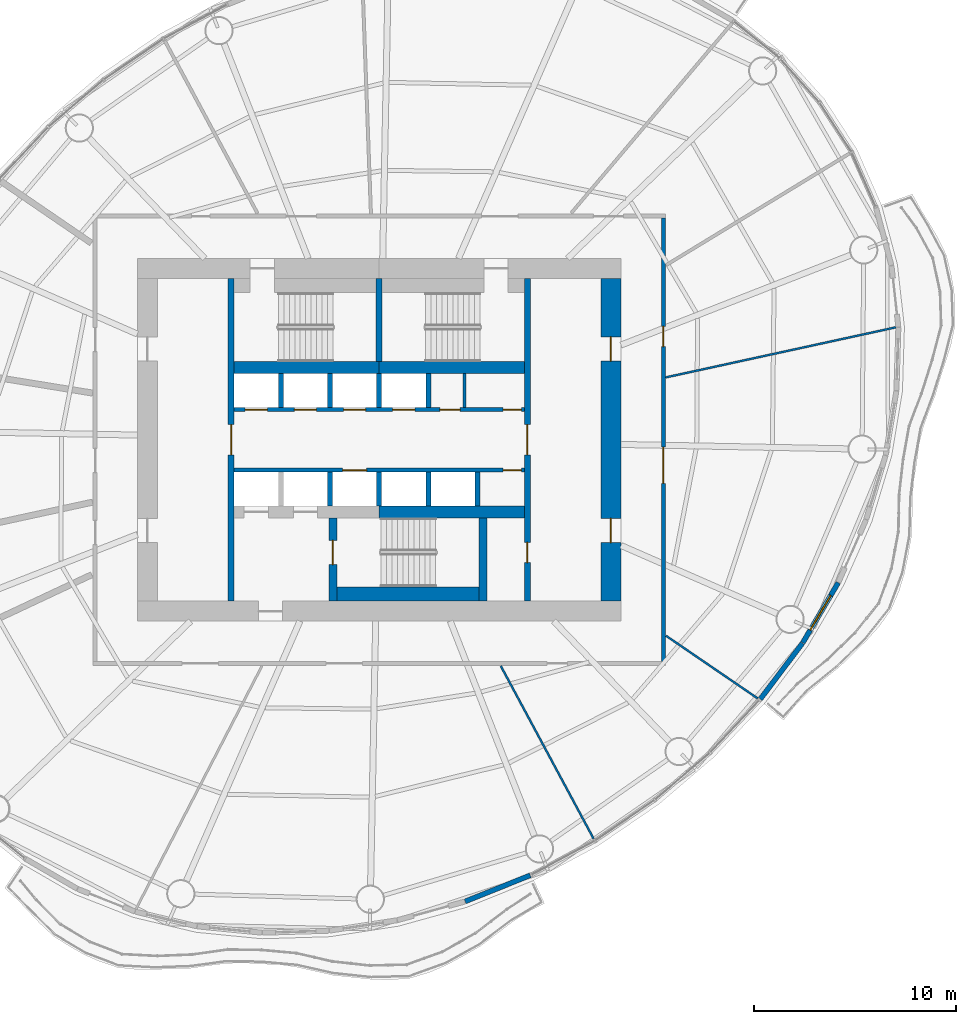
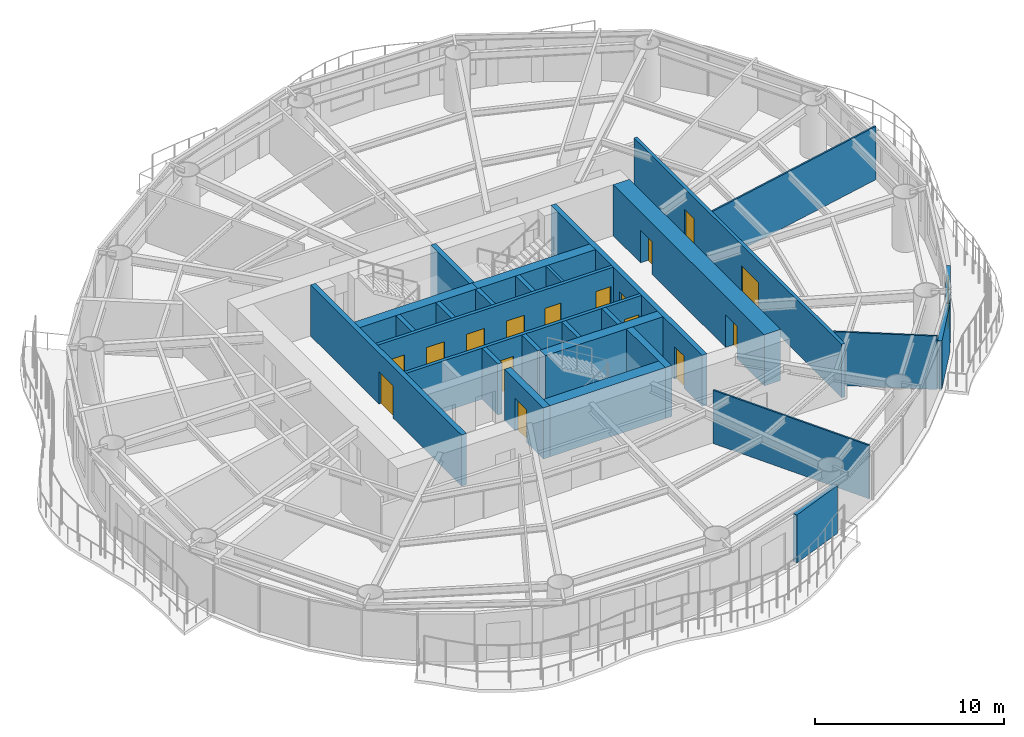
# One storey, part 9 of 15: 28 walls, 16 doors, 1 window, 17 openings.
"""IFC4 building model written with IfcOpenShell, lengths in metres."""

from ifc_helpers import new_model, si_unit, direction, frame, frame_2d, origin, place, context, subcontext, project, spatial, rectangle, extrude, material, layer, layer_set, type_object, element, fill, save


model = new_model("IFC4")

# Units and contexts
model_context = context("Model", 3, precision=1e-05, world=origin(), true_north=direction((0.0, 1.0)))
body_context = subcontext(model_context, "Body", "Model", "MODEL_VIEW")
ifc_project = project(units=[si_unit("LENGTHUNIT", "METRE"), si_unit("AREAUNIT", "SQUARE_METRE"), si_unit("VOLUMEUNIT", "CUBIC_METRE"), si_unit("PLANEANGLEUNIT", "RADIAN"), si_unit("MASSUNIT", "GRAM", prefix="KILO")], contexts=[model_context])

# Site, building, storey
site_placement = place(None, origin())
site = spatial("IfcSite", under=ifc_project, at=site_placement, CompositionType="ELEMENT")
building_placement = place(site_placement, origin())
building = spatial("IfcBuilding", under=site, at=building_placement, Name="Vermilion Reach Broadcast Tower", CompositionType="ELEMENT")
storey_placement = place(building_placement, frame((0.0, 0.0, 183.0)))
storey = spatial("IfcBuildingStorey", under=building, at=storey_placement, Name="L44", CompositionType="ELEMENT", Elevation=183.0)

# Wall, opening, door
ifc_material_1 = material(Name="Concrete C70", Category="concrete")
ifc_layer_1 = layer(ifc_material_1, 0.300048828125)
ifc_layer_set_1 = layer_set([ifc_layer_1], Name="Core inner wall 300 mm Concrete C70")
wall_type_1 = type_object("IfcWallType", Name="Core inner wall 300 mm Concrete C70", PredefinedType="SHEAR", material=ifc_layer_set_1)
wall_1_placement = place(storey_placement, frame((-13.35009765625, 8.0, 0.0), z_axis=(0.0, 0.0, 1.0), x_axis=(0.0, -1.0, 0.0)))
wall_1 = element("IfcWall", 1, at=wall_1_placement, inside=storey, type_object=wall_type_1, Name="L44 core wall ewW", PredefinedType="SHEAR", context=body_context, shape_type="SweptSolid", body=[
    extrude(rectangle(XDim=16.0, YDim=0.300048828125, at=frame_2d((8.0, 0.0))), origin(), (0.0, 0.0, 1.0), 3.300048828125),
])
opening_1_placement = place(wall_1_placement, frame((7.25, 0.0, 0.0)))
opening_1 = element("IfcOpeningElement", 2, at=opening_1_placement, cuts=wall_1, Name="Opening D04", PredefinedType="OPENING", context=body_context, shape_type="SweptSolid", body=[
    extrude(rectangle(XDim=1.5, YDim=2.10009765625, at=frame_2d((0.75, 1.050048828125))), frame((0.0, 0.159912109375, 0.0), z_axis=(0.0, -1.0, 0.0), x_axis=(1.0, 0.0, 0.0)), (0.0, 0.0, 1.0), 0.320068359375),
])
ifc_material_2 = material(Name="Painted steel fire door", Category="steel")
door_type_1 = type_object("IfcDoorType", Name="Lift lobby door 1500 x 2100", OperationType="DOUBLE_DOOR_SINGLE_SWING", PredefinedType="NOTDEFINED", material=ifc_material_2)
door_1_placement = place(opening_1_placement, origin())
door_1 = element("IfcDoor", 3, at=door_1_placement, inside=storey, type_object=door_type_1, Name="L44 band door BW", OperationType="DOUBLE_DOOR_SINGLE_SWING", OverallHeight=2.10009765625, OverallWidth=1.5, PredefinedType="NOTDEFINED", context=body_context, shape_type="SweptSolid", body=[
    extrude(rectangle(XDim=1.5, YDim=2.10009765625, at=frame_2d((0.75, 1.050048828125))), frame((0.0, 0.02490234375, 0.0), z_axis=(0.0, -1.0, 0.0), x_axis=(1.0, 0.0, 0.0)), (0.0, 0.0, 1.0), 0.050048828125),
])
fill(opening_1, door_1)

# Wall, openings, doors
wall_2_placement = place(storey_placement, frame((1.35009765625, -8.0, 0.0), z_axis=(0.0, 0.0, 1.0), x_axis=(0.0, 1.0, 0.0)))
wall_2 = element("IfcWall", 4, at=wall_2_placement, inside=storey, type_object=wall_type_1, Name="L44 core wall ewE", PredefinedType="SHEAR", context=body_context, shape_type="SweptSolid", body=[
    extrude(rectangle(XDim=16.0, YDim=0.300048828125, at=frame_2d((8.0, 0.0))), origin(), (0.0, 0.0, 1.0), 3.300048828125),
])
opening_2_placement = place(wall_2_placement, frame((1.909912109375, 0.0, 0.0)))
opening_2 = element("IfcOpeningElement", 5, at=opening_2_placement, cuts=wall_2, Name="Opening D05", PredefinedType="OPENING", context=body_context, shape_type="SweptSolid", body=[
    extrude(rectangle(XDim=1.0, YDim=2.10009765625, at=frame_2d((0.5, 1.050048828125))), frame((0.0, 0.159912109375, 0.0), z_axis=(0.0, -1.0, 0.0), x_axis=(1.0, 0.0, 0.0)), (0.0, 0.0, 1.0), 0.320068359375),
])
opening_3_placement = place(wall_2_placement, frame((7.25, 0.0, 0.0)))
opening_3 = element("IfcOpeningElement", 6, at=opening_3_placement, cuts=wall_2, Name="Opening D04", PredefinedType="OPENING", context=body_context, shape_type="SweptSolid", body=[
    extrude(rectangle(XDim=1.5, YDim=2.10009765625, at=frame_2d((0.75, 1.050048828125))), frame((0.0, 0.159912109375, 0.0), z_axis=(0.0, -1.0, 0.0), x_axis=(1.0, 0.0, 0.0)), (0.0, 0.0, 1.0), 0.320068359375),
])
door_2_placement = place(opening_3_placement, origin())
door_2 = element("IfcDoor", 7, at=door_2_placement, inside=storey, type_object=door_type_1, Name="L44 band door BE", OperationType="DOUBLE_DOOR_SINGLE_SWING", OverallHeight=2.10009765625, OverallWidth=1.5, PredefinedType="NOTDEFINED", context=body_context, shape_type="SweptSolid", body=[
    extrude(rectangle(XDim=1.5, YDim=2.10009765625, at=frame_2d((0.75, 1.050048828125))), frame((0.0, 0.02490234375, 0.0), z_axis=(0.0, -1.0, 0.0), x_axis=(1.0, 0.0, 0.0)), (0.0, 0.0, 1.0), 0.050048828125),
])
fill(opening_3, door_2)
ifc_material_3 = material(Name="Timber door", Category="wood")
door_type_2 = type_object("IfcDoorType", Name="Room door 1000 x 2100", OperationType="NOTDEFINED", PredefinedType="NOTDEFINED", material=ifc_material_3)
door_3_placement = place(opening_2_placement, origin())
door_3 = element("IfcDoor", 8, at=door_3_placement, inside=storey, type_object=door_type_2, Name="L44 door SER", OperationType="SINGLE_SWING_LEFT", OverallHeight=2.10009765625, OverallWidth=1.0, PredefinedType="NOTDEFINED", context=body_context, shape_type="SweptSolid", body=[
    extrude(rectangle(XDim=1.0, YDim=2.10009765625, at=frame_2d((0.5, 1.050048828125))), frame((0.0, 0.02490234375, 0.0), z_axis=(0.0, -1.0, 0.0), x_axis=(1.0, 0.0, 0.0)), (0.0, 0.0, 1.0), 0.050048828125),
])
fill(opening_2, door_3)

# Wall
wall_3_placement = place(storey_placement, frame((-6.0, 3.8798828125, 0.0), z_axis=(0.0, 0.0, 1.0), x_axis=(0.0, 1.0, 0.0)))
element("IfcWall", 9, at=wall_3_placement, inside=storey, type_object=wall_type_1, Name="L44 core wall wc", PredefinedType="SHEAR", context=body_context, shape_type="SweptSolid", body=[
    extrude(rectangle(XDim=4.1201171875, YDim=0.300048828125, at=frame_2d((2.06005859375, 0.0))), origin(), (0.0, 0.0, 1.0), 3.300048828125),
])

# Wall, opening, door
ifc_material_4 = material(Name="Concrete C70", Category="concrete")
ifc_layer_2 = layer(ifc_material_4, 0.39990234375)
ifc_layer_set_2 = layer_set([ifc_layer_2], Name="Core inner wall 400 mm Concrete C70")
wall_type_2 = type_object("IfcWallType", Name="Core inner wall 400 mm Concrete C70", PredefinedType="SHEAR", material=ifc_layer_set_2)
wall_4_placement = place(storey_placement, frame((-8.300048828125, -3.8798828125, 0.0), z_axis=(0.0, 0.0, 1.0), x_axis=(0.0, -1.0, 0.0)))
wall_4 = element("IfcWall", 10, at=wall_4_placement, inside=storey, type_object=wall_type_2, Name="L44 core wall wa", PredefinedType="SHEAR", context=body_context, shape_type="SweptSolid", body=[
    extrude(rectangle(XDim=4.1201171875, YDim=0.39990234375, at=frame_2d((2.06005859375, 0.0))), origin(), (0.0, 0.0, 1.0), 3.300048828125),
])
opening_4_placement = place(wall_4_placement, frame((1.110107421875, 0.0, 0.0)))
opening_4 = element("IfcOpeningElement", 11, at=opening_4_placement, cuts=wall_4, Name="Opening D01", PredefinedType="OPENING", context=body_context, shape_type="SweptSolid", body=[
    extrude(rectangle(XDim=1.199951171875, YDim=2.10009765625, at=frame_2d((0.60009765625, 1.050048828125))), frame((0.0, 0.2099609375, 0.0), z_axis=(0.0, -1.0, 0.0), x_axis=(1.0, 0.0, 0.0)), (0.0, 0.0, 1.0), 0.419921875),
])
ifc_material_5 = material(Name="Painted steel fire door", Category="steel")
door_type_3 = type_object("IfcDoorType", Name="Stair door 1200 x 2100", OperationType="DOUBLE_DOOR_SINGLE_SWING", PredefinedType="NOTDEFINED", material=ifc_material_5)
door_4_placement = place(opening_4_placement, origin())
door_4 = element("IfcDoor", 12, at=door_4_placement, inside=storey, type_object=door_type_3, Name="L44 stair door ST3", OperationType="DOUBLE_DOOR_SINGLE_SWING", OverallHeight=2.10009765625, OverallWidth=1.199951171875, PredefinedType="NOTDEFINED", context=body_context, shape_type="SweptSolid", body=[
    extrude(rectangle(XDim=1.199951171875, YDim=2.10009765625, at=frame_2d((0.60009765625, 1.050048828125))), frame((0.0, 0.02490234375, 0.0), z_axis=(0.0, -1.0, 0.0), x_axis=(1.0, 0.0, 0.0)), (0.0, 0.0, 1.0), 0.050048828125),
])
fill(opening_4, door_4)

# Walls
wall_5_placement = place(storey_placement, frame((-0.85009765625, -3.8798828125, 0.0), z_axis=(0.0, 0.0, 1.0), x_axis=(0.0, -1.0, 0.0)))
element("IfcWall", 13, at=wall_5_placement, inside=storey, type_object=wall_type_2, Name="L44 core wall wb", PredefinedType="SHEAR", context=body_context, shape_type="SweptSolid", body=[
    extrude(rectangle(XDim=4.1201171875, YDim=0.39990234375, at=frame_2d((2.06005859375, 0.0))), origin(), (0.0, 0.0, 1.0), 3.300048828125),
])
ifc_material_6 = material(Name="Concrete C70", Category="concrete")
ifc_layer_3 = layer(ifc_material_6, 0.60009765625)
ifc_layer_set_3 = layer_set([ifc_layer_3], Name="Core inner wall 600 mm Concrete C70")
wall_type_3 = type_object("IfcWallType", Name="Core inner wall 600 mm Concrete C70", PredefinedType="SHEAR", material=ifc_layer_set_3)
for number, where, z_axis, x_axis, name in (
    (14, (-13.199951171875, 3.580078125, 0.0), (0.0, 0.0, 1.0), (1.0, 0.0, 0.0), "L44 core wall winW"),
    (15, (-6.0, 3.580078125, 0.0), (0.0, 0.0, 1.0), (1.0, 0.0, 0.0), "L44 core wall winE"),
    (16, (-6.0, -3.580078125, 0.0), (0.0, 0.0, 1.0), (1.0, 0.0, 0.0), "L44 core wall wisE"),
):
    element("IfcWall", number, at=place(storey_placement, frame(where, z_axis=z_axis, x_axis=x_axis)), inside=storey, type_object=wall_type_3, Name=name, PredefinedType="SHEAR", context=body_context, shape_type="SweptSolid", body=[
        extrude(rectangle(XDim=7.199951171875, YDim=0.60009765625, at=frame_2d((3.60009765625, 0.0))), origin(), (0.0, 0.0, 1.0), 3.300048828125),
    ])

# Wall, openings, doors
ifc_material_7 = material(Name="Concrete C70", Category="concrete")
ifc_layer_4 = layer(ifc_material_7, 1.0)
ifc_layer_set_4 = layer_set([ifc_layer_4], Name="Core outer wall 1000 mm Concrete C70")
wall_type_4 = type_object("IfcWallType", Name="Core outer wall 1000 mm Concrete C70", PredefinedType="SHEAR", material=ifc_layer_set_4)
wall_6_placement = place(storey_placement, frame((5.5, -8.0, 0.0), z_axis=(0.0, 0.0, 1.0), x_axis=(0.0, 1.0, 0.0)))
wall_6 = element("IfcWall", 17, at=wall_6_placement, inside=storey, type_object=wall_type_4, Name="L44 core wall oe", PredefinedType="SHEAR", context=body_context, shape_type="SweptSolid", body=[
    extrude(rectangle(XDim=16.0, YDim=1.0, at=frame_2d((8.0, 0.0))), origin(), (0.0, 0.0, 1.0), 3.300048828125),
])
opening_5_placement = place(wall_6_placement, frame((2.89990234375, 0.0, 0.0)))
opening_5 = element("IfcOpeningElement", 18, at=opening_5_placement, cuts=wall_6, Name="Opening D03", PredefinedType="OPENING", context=body_context, shape_type="SweptSolid", body=[
    extrude(rectangle(XDim=1.199951171875, YDim=2.10009765625, at=frame_2d((0.60009765625, 1.050048828125))), frame((0.0, 0.510009765625, 0.0), z_axis=(0.0, -1.0, 0.0), x_axis=(1.0, 0.0, 0.0)), (0.0, 0.0, 1.0), 1.02001953125),
])
opening_6_placement = place(wall_6_placement, frame((11.89990234375, 0.0, 0.0)))
opening_6 = element("IfcOpeningElement", 19, at=opening_6_placement, cuts=wall_6, Name="Opening D03", PredefinedType="OPENING", context=body_context, shape_type="SweptSolid", body=[
    extrude(rectangle(XDim=1.199951171875, YDim=2.10009765625, at=frame_2d((0.60009765625, 1.050048828125))), frame((0.0, 0.510009765625, 0.0), z_axis=(0.0, -1.0, 0.0), x_axis=(1.0, 0.0, 0.0)), (0.0, 0.0, 1.0), 1.02001953125),
])
ifc_material_8 = material(Name="Painted steel fire door", Category="steel")
door_type_4 = type_object("IfcDoorType", Name="Core lobby door 1200 x 2100", OperationType="DOUBLE_DOOR_SINGLE_SWING", PredefinedType="NOTDEFINED", material=ifc_material_8)
door_5_placement = place(opening_5_placement, origin())
door_5 = element("IfcDoor", 20, at=door_5_placement, inside=storey, type_object=door_type_4, Name="L44 slot door E0", OperationType="DOUBLE_DOOR_SINGLE_SWING", OverallHeight=2.10009765625, OverallWidth=1.199951171875, PredefinedType="NOTDEFINED", context=body_context, shape_type="SweptSolid", body=[
    extrude(rectangle(XDim=1.199951171875, YDim=2.10009765625, at=frame_2d((0.60009765625, 1.050048828125))), frame((0.0, 0.02490234375, 0.0), z_axis=(0.0, -1.0, 0.0), x_axis=(1.0, 0.0, 0.0)), (0.0, 0.0, 1.0), 0.050048828125),
])
fill(opening_5, door_5)
door_6_placement = place(opening_6_placement, origin())
door_6 = element("IfcDoor", 21, at=door_6_placement, inside=storey, type_object=door_type_4, Name="L44 slot door E1", OperationType="DOUBLE_DOOR_SINGLE_SWING", OverallHeight=2.10009765625, OverallWidth=1.199951171875, PredefinedType="NOTDEFINED", context=body_context, shape_type="SweptSolid", body=[
    extrude(rectangle(XDim=1.199951171875, YDim=2.10009765625, at=frame_2d((0.60009765625, 1.050048828125))), frame((0.0, 0.02490234375, 0.0), z_axis=(0.0, -1.0, 0.0), x_axis=(1.0, 0.0, 0.0)), (0.0, 0.0, 1.0), 0.050048828125),
])
fill(opening_6, door_6)

# Wall
ifc_material_9 = material(Name="Masonry block", Category="masonry")
ifc_layer_5 = layer(ifc_material_9, 0.14990234375)
ifc_layer_set_5 = layer_set([ifc_layer_5], Name="Core partition wall 150 mm Masonry block")
wall_type_5 = type_object("IfcWallType", Name="Core partition wall 150 mm Masonry block", PredefinedType="PARTITIONING", material=ifc_layer_set_5)
wall_7_placement = place(storey_placement, frame((-1.765380859375, 1.60009765625, 0.0), z_axis=(0.0, 0.0, 1.0), x_axis=(0.0, 1.0, 0.0)))
element("IfcWall", 22, at=wall_7_placement, inside=storey, type_object=wall_type_5, Name="L44 core wall prN4235", PredefinedType="PARTITIONING", context=body_context, shape_type="SweptSolid", body=[
    extrude(rectangle(XDim=1.679931640625, YDim=0.14990234375, at=frame_2d((0.83984375, 0.0))), origin(), (0.0, 0.0, 1.0), 3.300048828125),
])

# Wall, openings, doors
ifc_material_10 = material(Name="Concrete C50", Category="concrete")
ifc_layer_6 = layer(ifc_material_10, 0.199951171875)
ifc_layer_set_6 = layer_set([ifc_layer_6], Name="Core shaft wall 200 mm Concrete C50")
wall_type_6 = type_object("IfcWallType", Name="Core shaft wall 200 mm Concrete C50", PredefinedType="SHEAR", material=ifc_layer_set_6)
wall_8_placement = place(storey_placement, frame((-13.199951171875, 1.5, 0.0), z_axis=(0.0, 0.0, 1.0), x_axis=(1.0, 0.0, 0.0)))
wall_8 = element("IfcWall", 23, at=wall_8_placement, inside=storey, type_object=wall_type_6, Name="L44 core wall fn", PredefinedType="SHEAR", context=body_context, shape_type="SweptSolid", body=[
    extrude(rectangle(XDim=14.39990234375, YDim=0.199951171875, at=frame_2d((7.199951171875, 0.0))), origin(), (0.0, 0.0, 1.0), 3.300048828125),
])
opening_7_placement = place(wall_8_placement, frame((0.5458984375, 0.0, 0.0)))
opening_7 = element("IfcOpeningElement", 24, at=opening_7_placement, cuts=wall_8, Name="Opening LD2", PredefinedType="OPENING", context=body_context, shape_type="SweptSolid", body=[
    extrude(rectangle(XDim=1.10009765625, YDim=2.10009765625, at=frame_2d((0.550048828125, 1.050048828125))), frame((0.0, 0.10986328125, 0.0), z_axis=(0.0, -1.0, 0.0), x_axis=(1.0, 0.0, 0.0)), (0.0, 0.0, 1.0), 0.219970703125),
])
opening_8_placement = place(wall_8_placement, frame((2.987548828125, 0.0, 0.0)))
opening_8 = element("IfcOpeningElement", 25, at=opening_8_placement, cuts=wall_8, Name="Opening LD2", PredefinedType="OPENING", context=body_context, shape_type="SweptSolid", body=[
    extrude(rectangle(XDim=1.10009765625, YDim=2.10009765625, at=frame_2d((0.550048828125, 1.050048828125))), frame((0.0, 0.10986328125, 0.0), z_axis=(0.0, -1.0, 0.0), x_axis=(1.0, 0.0, 0.0)), (0.0, 0.0, 1.0), 0.219970703125),
])
opening_9_placement = place(wall_8_placement, frame((5.42919921875, 0.0, 0.0)))
opening_9 = element("IfcOpeningElement", 26, at=opening_9_placement, cuts=wall_8, Name="Opening LD2", PredefinedType="OPENING", context=body_context, shape_type="SweptSolid", body=[
    extrude(rectangle(XDim=1.10009765625, YDim=2.10009765625, at=frame_2d((0.550048828125, 1.050048828125))), frame((0.0, 0.10986328125, 0.0), z_axis=(0.0, -1.0, 0.0), x_axis=(1.0, 0.0, 0.0)), (0.0, 0.0, 1.0), 0.219970703125),
])
opening_10_placement = place(wall_8_placement, frame((7.870849609375, 0.0, 0.0)))
opening_10 = element("IfcOpeningElement", 27, at=opening_10_placement, cuts=wall_8, Name="Opening LD2", PredefinedType="OPENING", context=body_context, shape_type="SweptSolid", body=[
    extrude(rectangle(XDim=1.10009765625, YDim=2.10009765625, at=frame_2d((0.550048828125, 1.050048828125))), frame((0.0, 0.10986328125, 0.0), z_axis=(0.0, -1.0, 0.0), x_axis=(1.0, 0.0, 0.0)), (0.0, 0.0, 1.0), 0.219970703125),
])
opening_11_placement = place(wall_8_placement, frame((10.209716796875, 0.0, 0.0)))
opening_11 = element("IfcOpeningElement", 28, at=opening_11_placement, cuts=wall_8, Name="Opening D07", PredefinedType="OPENING", context=body_context, shape_type="SweptSolid", body=[
    extrude(rectangle(XDim=1.0, YDim=2.10009765625, at=frame_2d((0.5, 1.050048828125))), frame((0.0, 0.10986328125, 0.0), z_axis=(0.0, -1.0, 0.0), x_axis=(1.0, 0.0, 0.0)), (0.0, 0.0, 1.0), 0.219970703125),
])
opening_12_placement = place(wall_8_placement, frame((13.35009765625, 0.0, 0.0)))
opening_12 = element("IfcOpeningElement", 29, at=opening_12_placement, cuts=wall_8, Name="Opening D06", PredefinedType="OPENING", context=body_context, shape_type="SweptSolid", body=[
    extrude(rectangle(XDim=0.89990234375, YDim=2.10009765625, at=frame_2d((0.449951171875, 1.050048828125))), frame((0.0, 0.10986328125, 0.0), z_axis=(0.0, -1.0, 0.0), x_axis=(1.0, 0.0, 0.0)), (0.0, 0.0, 1.0), 0.219970703125),
])
ifc_material_11 = material(Name="Timber door", Category="wood")
door_type_5 = type_object("IfcDoorType", Name="Accessible WC door 1000 x 2100", OperationType="NOTDEFINED", PredefinedType="NOTDEFINED", material=ifc_material_11)
door_7_placement = place(opening_11_placement, origin())
door_7 = element("IfcDoor", 30, at=door_7_placement, inside=storey, type_object=door_type_5, Name="L44 door Accessible WC", OperationType="SINGLE_SWING_RIGHT", OverallHeight=2.10009765625, OverallWidth=1.0, PredefinedType="NOTDEFINED", context=body_context, shape_type="SweptSolid", body=[
    extrude(rectangle(XDim=1.0, YDim=2.10009765625, at=frame_2d((0.5, 1.050048828125))), frame((0.0, 0.02490234375, 0.0), z_axis=(0.0, -1.0, 0.0), x_axis=(1.0, 0.0, 0.0)), (0.0, 0.0, 1.0), 0.050048828125),
])
fill(opening_11, door_7)
ifc_material_12 = material(Name="Stainless steel", Category="steel")
door_type_6 = type_object("IfcDoorType", Name="Landing door 1100 x 2100", OperationType="DOUBLE_DOOR_SLIDING", PredefinedType="NOTDEFINED", material=ifc_material_12)
door_8_placement = place(opening_7_placement, origin())
door_8 = element("IfcDoor", 31, at=door_8_placement, inside=storey, type_object=door_type_6, Name="L44 landing door LR1", OperationType="DOUBLE_DOOR_SLIDING", OverallHeight=2.10009765625, OverallWidth=1.10009765625, PredefinedType="NOTDEFINED", context=body_context, shape_type="SweptSolid", body=[
    extrude(rectangle(XDim=1.10009765625, YDim=2.10009765625, at=frame_2d((0.550048828125, 1.050048828125))), frame((0.0, 0.02490234375, 0.0), z_axis=(0.0, -1.0, 0.0), x_axis=(1.0, 0.0, 0.0)), (0.0, 0.0, 1.0), 0.050048828125),
])
fill(opening_7, door_8)
door_9_placement = place(opening_8_placement, origin())
door_9 = element("IfcDoor", 32, at=door_9_placement, inside=storey, type_object=door_type_6, Name="L44 landing door LR2", OperationType="DOUBLE_DOOR_SLIDING", OverallHeight=2.10009765625, OverallWidth=1.10009765625, PredefinedType="NOTDEFINED", context=body_context, shape_type="SweptSolid", body=[
    extrude(rectangle(XDim=1.10009765625, YDim=2.10009765625, at=frame_2d((0.550048828125, 1.050048828125))), frame((0.0, 0.02490234375, 0.0), z_axis=(0.0, -1.0, 0.0), x_axis=(1.0, 0.0, 0.0)), (0.0, 0.0, 1.0), 0.050048828125),
])
fill(opening_8, door_9)
door_10_placement = place(opening_9_placement, origin())
door_10 = element("IfcDoor", 33, at=door_10_placement, inside=storey, type_object=door_type_6, Name="L44 landing door LR3", OperationType="DOUBLE_DOOR_SLIDING", OverallHeight=2.10009765625, OverallWidth=1.10009765625, PredefinedType="NOTDEFINED", context=body_context, shape_type="SweptSolid", body=[
    extrude(rectangle(XDim=1.10009765625, YDim=2.10009765625, at=frame_2d((0.550048828125, 1.050048828125))), frame((0.0, 0.02490234375, 0.0), z_axis=(0.0, -1.0, 0.0), x_axis=(1.0, 0.0, 0.0)), (0.0, 0.0, 1.0), 0.050048828125),
])
fill(opening_9, door_10)
door_11_placement = place(opening_10_placement, origin())
door_11 = element("IfcDoor", 34, at=door_11_placement, inside=storey, type_object=door_type_6, Name="L44 landing door LR4", OperationType="DOUBLE_DOOR_SLIDING", OverallHeight=2.10009765625, OverallWidth=1.10009765625, PredefinedType="NOTDEFINED", context=body_context, shape_type="SweptSolid", body=[
    extrude(rectangle(XDim=1.10009765625, YDim=2.10009765625, at=frame_2d((0.550048828125, 1.050048828125))), frame((0.0, 0.02490234375, 0.0), z_axis=(0.0, -1.0, 0.0), x_axis=(1.0, 0.0, 0.0)), (0.0, 0.0, 1.0), 0.050048828125),
])
fill(opening_10, door_11)
ifc_material_13 = material(Name="Timber door", Category="wood")
door_type_7 = type_object("IfcDoorType", Name="WC door 900 x 2100", OperationType="NOTDEFINED", PredefinedType="NOTDEFINED", material=ifc_material_13)
door_12_placement = place(opening_12_placement, origin())
door_12 = element("IfcDoor", 35, at=door_12_placement, inside=storey, type_object=door_type_7, Name="L44 door Female WC", OperationType="SINGLE_SWING_RIGHT", OverallHeight=2.10009765625, OverallWidth=0.89990234375, PredefinedType="NOTDEFINED", context=body_context, shape_type="SweptSolid", body=[
    extrude(rectangle(XDim=0.89990234375, YDim=2.10009765625, at=frame_2d((0.449951171875, 1.050048828125))), frame((0.0, 0.02490234375, 0.0), z_axis=(0.0, -1.0, 0.0), x_axis=(1.0, 0.0, 0.0)), (0.0, 0.0, 1.0), 0.050048828125),
])
fill(opening_12, door_12)

wall_9_placement = place(storey_placement, frame((1.199951171875, -1.5, 0.0), z_axis=(0.0, 0.0, 1.0), x_axis=(-1.0, 0.0, 0.0)))
wall_9 = element("IfcWall", 36, at=wall_9_placement, inside=storey, type_object=wall_type_6, Name="L44 core wall fs", PredefinedType="SHEAR", context=body_context, shape_type="SweptSolid", body=[
    extrude(rectangle(XDim=14.39990234375, YDim=0.199951171875, at=frame_2d((7.199951171875, 0.0))), origin(), (0.0, 0.0, 1.0), 3.300048828125),
])
opening_13_placement = place(wall_9_placement, frame((7.82080078125, 0.0, 0.0)))
opening_13 = element("IfcOpeningElement", 37, at=opening_13_placement, cuts=wall_9, Name="Opening LD1", PredefinedType="OPENING", context=body_context, shape_type="SweptSolid", body=[
    extrude(rectangle(XDim=1.199951171875, YDim=2.10009765625, at=frame_2d((0.60009765625, 1.050048828125))), frame((0.0, 0.10986328125, 0.0), z_axis=(0.0, -1.0, 0.0), x_axis=(1.0, 0.0, 0.0)), (0.0, 0.0, 1.0), 0.219970703125),
])
opening_14_placement = place(wall_9_placement, frame((0.14990234375, 0.0, 0.0)))
opening_14 = element("IfcOpeningElement", 38, at=opening_14_placement, cuts=wall_9, Name="Opening D06", PredefinedType="OPENING", context=body_context, shape_type="SweptSolid", body=[
    extrude(rectangle(XDim=0.89990234375, YDim=2.10009765625, at=frame_2d((0.449951171875, 1.050048828125))), frame((0.0, 0.10986328125, 0.0), z_axis=(0.0, -1.0, 0.0), x_axis=(1.0, 0.0, 0.0)), (0.0, 0.0, 1.0), 0.219970703125),
])
ifc_material_14 = material(Name="Stainless steel", Category="steel")
door_type_8 = type_object("IfcDoorType", Name="Landing door 1200 x 2100", OperationType="DOUBLE_DOOR_SLIDING", PredefinedType="NOTDEFINED", material=ifc_material_14)
door_13_placement = place(opening_13_placement, origin())
door_13 = element("IfcDoor", 39, at=door_13_placement, inside=storey, type_object=door_type_8, Name="L44 landing door SV1", OperationType="DOUBLE_DOOR_SLIDING", OverallHeight=2.10009765625, OverallWidth=1.199951171875, PredefinedType="NOTDEFINED", context=body_context, shape_type="SweptSolid", body=[
    extrude(rectangle(XDim=1.199951171875, YDim=2.10009765625, at=frame_2d((0.60009765625, 1.050048828125))), frame((0.0, 0.02490234375, 0.0), z_axis=(0.0, -1.0, 0.0), x_axis=(1.0, 0.0, 0.0)), (0.0, 0.0, 1.0), 0.050048828125),
])
fill(opening_13, door_13)
door_14_placement = place(opening_14_placement, origin())
door_14 = element("IfcDoor", 40, at=door_14_placement, inside=storey, type_object=door_type_7, Name="L44 door Male WC", OperationType="SINGLE_SWING_LEFT", OverallHeight=2.10009765625, OverallWidth=0.89990234375, PredefinedType="NOTDEFINED", context=body_context, shape_type="SweptSolid", body=[
    extrude(rectangle(XDim=0.89990234375, YDim=2.10009765625, at=frame_2d((0.449951171875, 1.050048828125))), frame((0.0, 0.02490234375, 0.0), z_axis=(0.0, -1.0, 0.0), x_axis=(1.0, 0.0, 0.0)), (0.0, 0.0, 1.0), 0.050048828125),
])
fill(opening_14, door_14)

# Walls
ifc_material_15 = material(Name="Concrete C50", Category="concrete")
ifc_layer_7 = layer(ifc_material_15, 0.25)
ifc_layer_set_7 = layer_set([ifc_layer_7], Name="Core shaft wall 250 mm Concrete C50")
wall_type_7 = type_object("IfcWallType", Name="Core shaft wall 250 mm Concrete C50", PredefinedType="SHEAR", material=ifc_layer_set_7)
for number, where, z_axis, x_axis, name in (
    (41, (-10.88330078125, 1.60009765625, 0.0), (0.0, 0.0, 1.0), (0.0, 1.0, 0.0), "L44 core wall psN0"),
    (42, (-8.441650390625, 1.60009765625, 0.0), (0.0, 0.0, 1.0), (0.0, 1.0, 0.0), "L44 core wall psN1"),
    (43, (-6.0, 1.60009765625, 0.0), (0.0, 0.0, 1.0), (0.0, 1.0, 0.0), "L44 core wall psN2"),
    (44, (-3.558349609375, 1.60009765625, 0.0), (0.0, 0.0, 1.0), (0.0, 1.0, 0.0), "L44 core wall psN3"),
    (45, (-8.441650390625, -1.60009765625, 0.0), (0.0, 0.0, 1.0), (0.0, -1.0, 0.0), "L44 core wall psS1"),
    (46, (-6.0, -1.60009765625, 0.0), (0.0, 0.0, 1.0), (0.0, -1.0, 0.0), "L44 core wall psS2"),
    (47, (-3.558349609375, -1.60009765625, 0.0), (0.0, 0.0, 1.0), (0.0, -1.0, 0.0), "L44 core wall psS3"),
    (48, (-1.11669921875, -1.60009765625, 0.0), (0.0, 0.0, 1.0), (0.0, -1.0, 0.0), "L44 core wall psS4"),
):
    element("IfcWall", number, at=place(storey_placement, frame(where, z_axis=z_axis, x_axis=x_axis)), inside=storey, type_object=wall_type_7, Name=name, PredefinedType="SHEAR", context=body_context, shape_type="SweptSolid", body=[
        extrude(rectangle(XDim=1.679931640625, YDim=0.25, at=frame_2d((0.83984375, 0.0))), origin(), (0.0, 0.0, 1.0), 3.300048828125),
    ])
ifc_material_16 = material(Name="Concrete C70", Category="concrete")
ifc_layer_8 = layer(ifc_material_16, 0.699951171875)
ifc_layer_set_8 = layer_set([ifc_layer_8], Name="Core stair wall 700 mm Concrete C70")
wall_type_8 = type_object("IfcWallType", Name="Core stair wall 700 mm Concrete C70", PredefinedType="SHEAR", material=ifc_layer_set_8)
wall_10_placement = place(storey_placement, frame((-8.10009765625, -7.64990234375, 0.0), z_axis=(0.0, 0.0, 1.0), x_axis=(1.0, 0.0, 0.0)))
element("IfcWall", 49, at=wall_10_placement, inside=storey, type_object=wall_type_8, Name="L44 core wall l3", PredefinedType="SHEAR", context=body_context, shape_type="SweptSolid", body=[
    extrude(rectangle(XDim=7.050048828125, YDim=0.699951171875, at=frame_2d((3.52490234375, 0.0))), origin(), (0.0, 0.0, 1.0), 3.300048828125),
])

# Wall, openings, doors
ifc_material_17 = material(Name="Fire-rated gypsum board partition")
ifc_layer_9 = layer(ifc_material_17, 0.199951171875)
ifc_layer_set_9 = layer_set([ifc_layer_9], Name="Corridor wall 200 fire-rated")
wall_type_9 = type_object("IfcWallType", Name="Corridor wall 200 fire-rated", PredefinedType="PARTITIONING", material=ifc_layer_set_9)
wall_11_placement = place(storey_placement, frame((8.10009765625, 11.0, 0.0), z_axis=(0.0, 0.0, 1.0), x_axis=(0.0, -1.0, 0.0)))
wall_11 = element("IfcWall", 50, at=wall_11_placement, inside=storey, type_object=wall_type_9, Name="Corridor wall 44.E", PredefinedType="PARTITIONING", context=body_context, shape_type="SweptSolid", body=[
    extrude(rectangle(XDim=22.0, YDim=0.199951171875, at=frame_2d((11.0, 0.0))), origin(), (0.0, 0.0, 1.0), 3.449951171875),
])
opening_15_placement = place(wall_11_placement, frame((11.367431640625, 0.0, 0.0)))
opening_15 = element("IfcOpeningElement", 51, at=opening_15_placement, cuts=wall_11, Name="Opening D21", PredefinedType="OPENING", context=body_context, shape_type="SweptSolid", body=[
    extrude(rectangle(XDim=1.800048828125, YDim=2.10009765625, at=frame_2d((0.89990234375, 1.050048828125))), frame((0.0, 0.10986328125, 0.0), z_axis=(0.0, -1.0, 0.0), x_axis=(1.0, 0.0, 0.0)), (0.0, 0.0, 1.0), 0.219970703125),
])
opening_16_placement = place(wall_11_placement, frame((5.373291015625, 0.0, 0.0)))
opening_16 = element("IfcOpeningElement", 52, at=opening_16_placement, cuts=wall_11, Name="Opening D20", PredefinedType="OPENING", context=body_context, shape_type="SweptSolid", body=[
    extrude(rectangle(XDim=1.0, YDim=2.10009765625, at=frame_2d((0.5, 1.050048828125))), frame((0.0, 0.10986328125, 0.0), z_axis=(0.0, -1.0, 0.0), x_axis=(1.0, 0.0, 0.0)), (0.0, 0.0, 1.0), 0.219970703125),
])
ifc_material_18 = material(Name="Timber door leaf", Category="wood")
door_type_9 = type_object("IfcDoorType", Name="Door pair 1800x2100", OperationType="NOTDEFINED", PredefinedType="DOOR", material=ifc_material_18)
door_15_placement = place(opening_15_placement, origin())
door_15 = element("IfcDoor", 53, at=door_15_placement, inside=storey, type_object=door_type_9, Name="Door 44.10", OperationType="DOUBLE_DOOR_SINGLE_SWING", OverallHeight=2.10009765625, OverallWidth=1.800048828125, PredefinedType="DOOR", context=body_context, shape_type="SweptSolid", body=[
    extrude(rectangle(XDim=1.800048828125, YDim=2.10009765625, at=frame_2d((0.89990234375, 1.050048828125))), frame((0.0, 0.02490234375, 0.0), z_axis=(0.0, -1.0, 0.0), x_axis=(1.0, 0.0, 0.0)), (0.0, 0.0, 1.0), 0.050048828125),
])
fill(opening_15, door_15)
ifc_material_19 = material(Name="Timber door leaf", Category="wood")
door_type_10 = type_object("IfcDoorType", Name="Door single 1000x2100", OperationType="NOTDEFINED", PredefinedType="DOOR", material=ifc_material_19)
door_16_placement = place(opening_16_placement, origin())
door_16 = element("IfcDoor", 54, at=door_16_placement, inside=storey, type_object=door_type_10, Name="Door 44.11", OperationType="SINGLE_SWING_RIGHT", OverallHeight=2.10009765625, OverallWidth=1.0, PredefinedType="DOOR", context=body_context, shape_type="SweptSolid", body=[
    extrude(rectangle(XDim=1.0, YDim=2.10009765625, at=frame_2d((0.5, 1.050048828125))), frame((0.0, 0.02490234375, 0.0), z_axis=(0.0, -1.0, 0.0), x_axis=(1.0, 0.0, 0.0)), (0.0, 0.0, 1.0), 0.050048828125),
])
fill(opening_16, door_16)

# Walls
ifc_material_20 = material(Name="Plasterboard on steel stud", Category="steel")
ifc_layer_10 = layer(ifc_material_20, 0.10009765625)
ifc_layer_set_10 = layer_set([ifc_layer_10], Name="Partition 100 steel stud")
wall_type_10 = type_object("IfcWallType", Name="Partition 100 steel stud", PredefinedType="PARTITIONING", material=ifc_layer_set_10)
wall_12_placement = place(storey_placement, frame((4.636474609375, -19.7900390625, 0.0), z_axis=(0.0, 0.0, 1.0), x_axis=(-0.473408054694, 0.880843240169, 0.0)))
element("IfcWall", 55, at=wall_12_placement, inside=storey, type_object=wall_type_10, Name="Partition 44.09", PredefinedType="PARTITIONING", context=body_context, shape_type="SweptSolid", body=[
    extrude(rectangle(XDim=9.725341796875, YDim=0.10009765625, at=frame_2d((4.86279296875, 0.0))), origin(), (0.0, 0.0, 1.0), 3.449951171875),
])
wall_13_placement = place(storey_placement, frame((12.779052734375, -12.832275390625, 0.0), z_axis=(0.0, 0.0, 1.0), x_axis=(-0.825651519224, 0.564180439933, 0.0)))
element("IfcWall", 56, at=wall_13_placement, inside=storey, type_object=wall_type_10, Name="Partition 44.10", PredefinedType="PARTITIONING", context=body_context, shape_type="SweptSolid", body=[
    extrude(rectangle(XDim=5.51171875, YDim=0.10009765625, at=frame_2d((2.755859375, 0.0))), origin(), (0.0, 0.0, 1.0), 3.449951171875),
])
wall_14_placement = place(storey_placement, frame((19.63427734375, 5.57958984375, 0.0), z_axis=(0.0, 0.0, 1.0), x_axis=(-0.977119787855, -0.212689727497, 0.0)))
element("IfcWall", 57, at=wall_14_placement, inside=storey, type_object=wall_type_10, Name="Partition 44.11", PredefinedType="PARTITIONING", context=body_context, shape_type="SweptSolid", body=[
    extrude(rectangle(XDim=11.691162109375, YDim=0.10009765625, at=frame_2d((5.845703125, 0.0))), origin(), (0.0, 0.0, 1.0), 3.449951171875),
])
ifc_material_21 = material(Name="Terracotta rainscreen cladding", Category="masonry")
ifc_layer_11 = layer(ifc_material_21, 0.25)
ifc_layer_set_11 = layer_set([ifc_layer_11], Name="Terracotta rainscreen wall 250")
wall_type_11 = type_object("IfcWallType", Name="Terracotta rainscreen wall 250", PredefinedType="SOLIDWALL", material=ifc_layer_set_11)
wall_15_placement = place(storey_placement, frame((-1.73486328125, -22.90673828125, 0.0), z_axis=(0.0, 0.0, 1.0), x_axis=(0.92785563981, 0.372939554984, 0.0)))
element("IfcWall", 58, at=wall_15_placement, inside=storey, type_object=wall_type_11, Name="External wall L44 33", PredefinedType="SOLIDWALL", context=body_context, shape_type="SweptSolid", body=[
    extrude(rectangle(XDim=3.4775390625, YDim=0.25, at=frame_2d((1.73876953125, 0.0))), origin(), (0.0, 0.0, 1.0), 3.10009765625),
])
wall_16_placement = place(storey_placement, frame((12.90771484375, -12.869140625, 0.0), z_axis=(0.0, 0.0, 1.0), x_axis=(0.602031278038, 0.798472504388, 0.0)))
element("IfcWall", 59, at=wall_16_placement, inside=storey, type_object=wall_type_11, Name="External wall L44 38", PredefinedType="SOLIDWALL", context=body_context, shape_type="SweptSolid", body=[
    extrude(rectangle(XDim=3.477294921875, YDim=0.25, at=frame_2d((1.73876953125, 0.0))), origin(), (0.0, 0.0, 1.0), 3.10009765625),
])

# Wall, opening, window
wall_17_placement = place(storey_placement, frame((15.013427734375, -10.07421875, 0.0), z_axis=(0.0, 0.0, 1.0), x_axis=(0.508356425064, 0.861146761648, 0.0)))
wall_17 = element("IfcWall", 60, at=wall_17_placement, inside=storey, type_object=wall_type_11, Name="External wall L44 39", PredefinedType="SOLIDWALL", context=body_context, shape_type="SweptSolid", body=[
    extrude(rectangle(XDim=3.463623046875, YDim=0.25, at=frame_2d((1.73193359375, 0.0))), origin(), (0.0, 0.0, 1.0), 3.10009765625),
])
opening_17_placement = place(wall_17_placement, frame((0.731689453125, 0.0, 0.89990234375)))
opening_17 = element("IfcOpeningElement", 61, at=opening_17_placement, cuts=wall_17, Name="Opening W03", PredefinedType="OPENING", context=body_context, shape_type="SweptSolid", body=[
    extrude(rectangle(XDim=2.0, YDim=2.10009765625, at=frame_2d((1.0, 1.050048828125))), frame((0.0, 0.135009765625, 0.0), z_axis=(0.0, -1.0, 0.0), x_axis=(1.0, 0.0, 0.0)), (0.0, 0.0, 1.0), 0.27001953125),
])
ifc_material_22 = material(Name="Low-e laminated clear glass in aluminium frame", Category="aluminium")
window_type = type_object("IfcWindowType", Name="Punched window 2000 x 2100 sill 900", PartitioningType="SINGLE_PANEL", PredefinedType="WINDOW", material=ifc_material_22)
window_placement = place(opening_17_placement, origin())
window = element("IfcWindow", 62, at=window_placement, inside=storey, type_object=window_type, Name="Window L44 39", OverallHeight=2.10009765625, OverallWidth=2.0, PartitioningType="SINGLE_PANEL", PredefinedType="WINDOW", context=body_context, shape_type="SweptSolid", body=[
    extrude(rectangle(XDim=2.0, YDim=2.10009765625, at=frame_2d((1.0, 1.050048828125))), frame((0.0, 0.030029296875, 0.0), z_axis=(0.0, -1.0, 0.0), x_axis=(1.0, 0.0, 0.0)), (0.0, 0.0, 1.0), 0.06005859375),
])
fill(opening_17, window)

save(model, "model.ifc")
